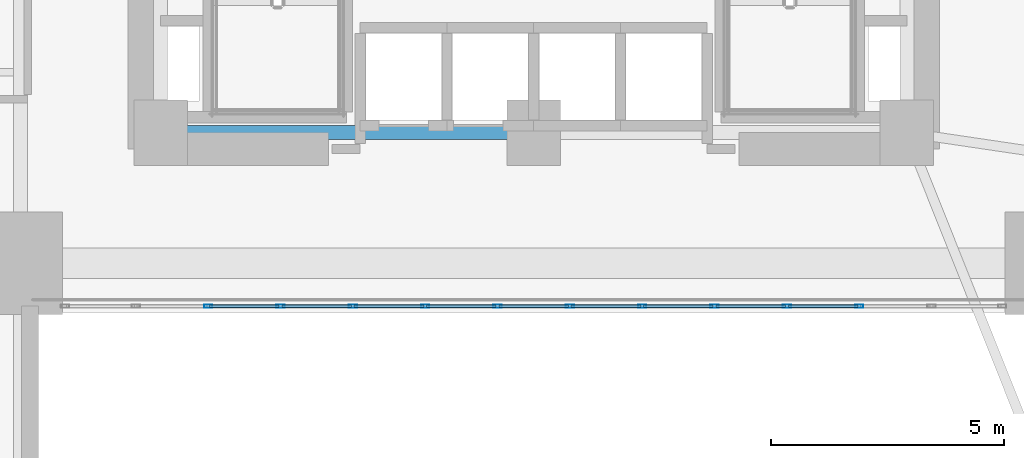
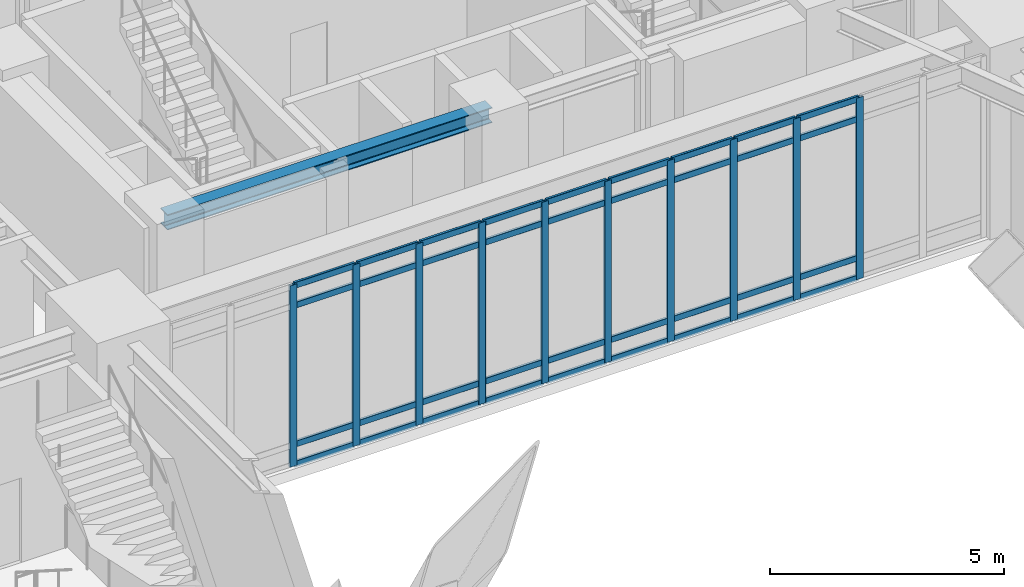
# One storey, part 6 of 26: 46 members, 1 beam, 1 element without a shape of its own.
"""IFC4 building model written with IfcOpenShell, lengths in metres."""

from ifc_helpers import new_model, si_unit, direction, frame, origin, origin_2d, place, context, subcontext, project, spatial, hollow_rectangle, i_section, extrude, material, layer, layer_set, material_profile, profile_set, type_object, element, aggregate, save


model = new_model("IFC4")

# Units and contexts
model_context = context("Model", 3, precision=1e-05, world=origin(), true_north=direction((0.0, 1.0)))
body_context = subcontext(model_context, "Body", "Model", "MODEL_VIEW")
ifc_project = project(units=[si_unit("LENGTHUNIT", "METRE"), si_unit("AREAUNIT", "SQUARE_METRE"), si_unit("VOLUMEUNIT", "CUBIC_METRE"), si_unit("PLANEANGLEUNIT", "RADIAN"), si_unit("MASSUNIT", "GRAM", prefix="KILO")], contexts=[model_context])

# Site, building, storey
site_placement = place(None, origin())
site = spatial("IfcSite", under=ifc_project, at=site_placement, CompositionType="ELEMENT")
building_placement = place(site_placement, origin())
building = spatial("IfcBuilding", under=site, at=building_placement, Name="Ndelora Gate Hotel", CompositionType="ELEMENT")
storey_placement = place(building_placement, frame((0.0, 0.0, 6.0)))
storey = spatial("IfcBuildingStorey", under=building, at=storey_placement, Name="L01", CompositionType="ELEMENT", Elevation=6.0)

# Beam
ifc_material_1 = material(Name="Steel S355", Category="steel")
ifc_material_profile_1 = material_profile(ifc_material_1, i_section(OverallWidth=0.300048828125, OverallDepth=0.39990234375, WebThickness=0.013427734375, FlangeThickness=0.02392578125, FilletRadius=0.027099609375, at=origin_2d()), Name="HEB 400")
ifc_profile_set_1 = profile_set([ifc_material_profile_1], Name="Steel S355")
beam_type = type_object("IfcBeamType", Name="BM-CORE-400", PredefinedType="BEAM", material=ifc_profile_set_1)
beam_placement = place(storey_placement, frame((-8.0, -6.60009765625, 4.52001953125), z_axis=(1.0, 0.0, 0.0), x_axis=(0.0, 1.0, 0.0)))
element("IfcBeam", 1, at=beam_placement, inside=storey, type_object=beam_type, Name="L01 Core Tie Girder CC1-CC2", PredefinedType="BEAM", context=body_context, shape_type="SweptSolid", body=[
    extrude(i_section(OverallWidth=0.300048828125, OverallDepth=0.39990234375, WebThickness=0.013427734375, FlangeThickness=0.02392578125, FilletRadius=0.027099609375, at=origin_2d()), origin(), (0.0, 0.0, 1.0), 8.0),
])

# Curtain wall, members
ifc_material_2 = material(Name="Bronze Anodised Unitised Aluminium and Low-E Glass", Category="aluminium")
ifc_layer = layer(ifc_material_2, 0.239990234375)
ifc_layer_set = layer_set([ifc_layer], Name="Bronze Anodised Unitised Aluminium and Low-E Glass")
curtain_wall_type = type_object("IfcCurtainWallType", Name="CW-SYS-1", PredefinedType="NOTDEFINED", material=ifc_layer_set)
curtain_wall_placement = place(storey_placement, origin())
curtain_wall = element("IfcCurtainWall", 2, at=curtain_wall_placement, inside=storey, type_object=curtain_wall_type, Name="L01 South Portal Arch Concourse Curtain Wall CW1", PredefinedType="NOTDEFINED")
ifc_material_3 = material(Name="Bronze Anodised Aluminium 6063-T6", Category="aluminium")
ifc_material_profile_2 = material_profile(ifc_material_3, hollow_rectangle(XDim=0.070068359375, YDim=0.179931640625, WallThickness=0.0048828125, InnerFilletRadius=0.0048828125, OuterFilletRadius=0.010009765625, at=origin_2d()), Name="ALU 180x70x5")
ifc_profile_set_2 = profile_set([ifc_material_profile_2], Name="Bronze Anodised Aluminium 6063-T6")
member_type_1 = type_object("IfcMemberType", Name="MB-CW-MUL180", PredefinedType="MULLION", material=ifc_profile_set_2)
member_1_placement = place(storey_placement, frame((-6.978515625, -10.320068359375, -0.00390625), z_axis=(0.0, 0.0, 1.0), x_axis=(0.0, 1.0, 0.0)))
member_1 = element("IfcMember", 3, at=member_1_placement, type_object=member_type_1, Name="CW1 mullion 3", PredefinedType="MULLION", context=body_context, shape_type="SweptSolid", body=[
    extrude(hollow_rectangle(XDim=0.070068359375, YDim=0.179931640625, WallThickness=0.0048828125, InnerFilletRadius=0.0048828125, OuterFilletRadius=0.010009765625, at=origin_2d()), origin(), (0.0, 0.0, 1.0), 4.72802734375),
])
member_2_placement = place(storey_placement, frame((-5.427734375, -10.320068359375, -0.00390625), z_axis=(0.0, 0.0, 1.0), x_axis=(0.0, 1.0, 0.0)))
member_2 = element("IfcMember", 4, at=member_2_placement, type_object=member_type_1, Name="CW1 mullion 4", PredefinedType="MULLION", context=body_context, shape_type="SweptSolid", body=[
    extrude(hollow_rectangle(XDim=0.070068359375, YDim=0.179931640625, WallThickness=0.0048828125, InnerFilletRadius=0.0048828125, OuterFilletRadius=0.010009765625, at=origin_2d()), origin(), (0.0, 0.0, 1.0), 4.72802734375),
])
member_3_placement = place(storey_placement, frame((-3.876953125, -10.320068359375, -0.00390625), z_axis=(0.0, 0.0, 1.0), x_axis=(0.0, 1.0, 0.0)))
member_3 = element("IfcMember", 5, at=member_3_placement, type_object=member_type_1, Name="CW1 mullion 5", PredefinedType="MULLION", context=body_context, shape_type="SweptSolid", body=[
    extrude(hollow_rectangle(XDim=0.070068359375, YDim=0.179931640625, WallThickness=0.0048828125, InnerFilletRadius=0.0048828125, OuterFilletRadius=0.010009765625, at=origin_2d()), origin(), (0.0, 0.0, 1.0), 4.72802734375),
])
member_4_placement = place(storey_placement, frame((-2.326171875, -10.320068359375, -0.00390625), z_axis=(0.0, 0.0, 1.0), x_axis=(0.0, 1.0, 0.0)))
member_4 = element("IfcMember", 6, at=member_4_placement, type_object=member_type_1, Name="CW1 mullion 6", PredefinedType="MULLION", context=body_context, shape_type="SweptSolid", body=[
    extrude(hollow_rectangle(XDim=0.070068359375, YDim=0.179931640625, WallThickness=0.0048828125, InnerFilletRadius=0.0048828125, OuterFilletRadius=0.010009765625, at=origin_2d()), origin(), (0.0, 0.0, 1.0), 4.72802734375),
])
member_5_placement = place(storey_placement, frame((-0.775390625, -10.320068359375, -0.00390625), z_axis=(0.0, 0.0, 1.0), x_axis=(0.0, 1.0, 0.0)))
member_5 = element("IfcMember", 7, at=member_5_placement, type_object=member_type_1, Name="CW1 mullion 7", PredefinedType="MULLION", context=body_context, shape_type="SweptSolid", body=[
    extrude(hollow_rectangle(XDim=0.070068359375, YDim=0.179931640625, WallThickness=0.0048828125, InnerFilletRadius=0.0048828125, OuterFilletRadius=0.010009765625, at=origin_2d()), origin(), (0.0, 0.0, 1.0), 4.72802734375),
])
member_6_placement = place(storey_placement, frame((0.775390625, -10.320068359375, -0.00390625), z_axis=(0.0, 0.0, 1.0), x_axis=(0.0, 1.0, 0.0)))
member_6 = element("IfcMember", 8, at=member_6_placement, type_object=member_type_1, Name="CW1 mullion 8", PredefinedType="MULLION", context=body_context, shape_type="SweptSolid", body=[
    extrude(hollow_rectangle(XDim=0.070068359375, YDim=0.179931640625, WallThickness=0.0048828125, InnerFilletRadius=0.0048828125, OuterFilletRadius=0.010009765625, at=origin_2d()), origin(), (0.0, 0.0, 1.0), 4.72802734375),
])
member_7_placement = place(storey_placement, frame((2.326171875, -10.320068359375, -0.00390625), z_axis=(0.0, 0.0, 1.0), x_axis=(0.0, 1.0, 0.0)))
member_7 = element("IfcMember", 9, at=member_7_placement, type_object=member_type_1, Name="CW1 mullion 9", PredefinedType="MULLION", context=body_context, shape_type="SweptSolid", body=[
    extrude(hollow_rectangle(XDim=0.070068359375, YDim=0.179931640625, WallThickness=0.0048828125, InnerFilletRadius=0.0048828125, OuterFilletRadius=0.010009765625, at=origin_2d()), origin(), (0.0, 0.0, 1.0), 4.72802734375),
])
member_8_placement = place(storey_placement, frame((3.876953125, -10.320068359375, -0.00390625), z_axis=(0.0, 0.0, 1.0), x_axis=(0.0, 1.0, 0.0)))
member_8 = element("IfcMember", 10, at=member_8_placement, type_object=member_type_1, Name="CW1 mullion 10", PredefinedType="MULLION", context=body_context, shape_type="SweptSolid", body=[
    extrude(hollow_rectangle(XDim=0.070068359375, YDim=0.179931640625, WallThickness=0.0048828125, InnerFilletRadius=0.0048828125, OuterFilletRadius=0.010009765625, at=origin_2d()), origin(), (0.0, 0.0, 1.0), 4.72802734375),
])
member_9_placement = place(storey_placement, frame((5.427734375, -10.320068359375, -0.00390625), z_axis=(0.0, 0.0, 1.0), x_axis=(0.0, 1.0, 0.0)))
member_9 = element("IfcMember", 11, at=member_9_placement, type_object=member_type_1, Name="CW1 mullion 11", PredefinedType="MULLION", context=body_context, shape_type="SweptSolid", body=[
    extrude(hollow_rectangle(XDim=0.070068359375, YDim=0.179931640625, WallThickness=0.0048828125, InnerFilletRadius=0.0048828125, OuterFilletRadius=0.010009765625, at=origin_2d()), origin(), (0.0, 0.0, 1.0), 4.72802734375),
])
member_10_placement = place(storey_placement, frame((6.978515625, -10.320068359375, -0.00390625), z_axis=(0.0, 0.0, 1.0), x_axis=(0.0, 1.0, 0.0)))
member_10 = element("IfcMember", 12, at=member_10_placement, type_object=member_type_1, Name="CW1 mullion 12", PredefinedType="MULLION", context=body_context, shape_type="SweptSolid", body=[
    extrude(hollow_rectangle(XDim=0.070068359375, YDim=0.179931640625, WallThickness=0.0048828125, InnerFilletRadius=0.0048828125, OuterFilletRadius=0.010009765625, at=origin_2d()), origin(), (0.0, 0.0, 1.0), 4.72802734375),
])
ifc_material_profile_3 = material_profile(ifc_material_3, hollow_rectangle(XDim=0.06494140625, YDim=0.159912109375, WallThickness=0.00390625, InnerFilletRadius=0.00390625, OuterFilletRadius=0.008056640625, at=origin_2d()), Name="ALU 160x65x4")
ifc_profile_set_3 = profile_set([ifc_material_profile_3], Name="Bronze Anodised Aluminium 6063-T6")
member_type_2 = type_object("IfcMemberType", Name="MB-CW-TRN150", PredefinedType="USERDEFINED", material=ifc_profile_set_3)
member_11_placement = place(storey_placement, frame((-6.949462890625, -10.320068359375, 0.032470703125), z_axis=(1.0, 0.0, 0.0), x_axis=(0.0, 1.0, 0.0)))
member_11 = element("IfcMember", 13, at=member_11_placement, type_object=member_type_2, Name="CW1 transom 3.1", ObjectType="TRANSOM", PredefinedType="USERDEFINED", context=body_context, shape_type="SweptSolid", body=[
    extrude(hollow_rectangle(XDim=0.06494140625, YDim=0.159912109375, WallThickness=0.00390625, InnerFilletRadius=0.00390625, OuterFilletRadius=0.008056640625, at=origin_2d()), origin(), (0.0, 0.0, 1.0), 1.49267578125),
])
member_12_placement = place(storey_placement, frame((-6.949462890625, -10.320068359375, 0.550048828125), z_axis=(1.0, 0.0, 0.0), x_axis=(0.0, 1.0, 0.0)))
member_12 = element("IfcMember", 14, at=member_12_placement, type_object=member_type_2, Name="CW1 transom 3.2", ObjectType="TRANSOM", PredefinedType="USERDEFINED", context=body_context, shape_type="SweptSolid", body=[
    extrude(hollow_rectangle(XDim=0.06494140625, YDim=0.159912109375, WallThickness=0.00390625, InnerFilletRadius=0.00390625, OuterFilletRadius=0.008056640625, at=origin_2d()), origin(), (0.0, 0.0, 1.0), 1.49267578125),
])
member_13_placement = place(storey_placement, frame((-6.949462890625, -10.320068359375, 4.169921875), z_axis=(1.0, 0.0, 0.0), x_axis=(0.0, 1.0, 0.0)))
member_13 = element("IfcMember", 15, at=member_13_placement, type_object=member_type_2, Name="CW1 transom 3.3", ObjectType="TRANSOM", PredefinedType="USERDEFINED", context=body_context, shape_type="SweptSolid", body=[
    extrude(hollow_rectangle(XDim=0.06494140625, YDim=0.159912109375, WallThickness=0.00390625, InnerFilletRadius=0.00390625, OuterFilletRadius=0.008056640625, at=origin_2d()), origin(), (0.0, 0.0, 1.0), 1.49267578125),
])
member_14_placement = place(storey_placement, frame((-6.949462890625, -10.320068359375, 4.6875), z_axis=(1.0, 0.0, 0.0), x_axis=(0.0, 1.0, 0.0)))
member_14 = element("IfcMember", 16, at=member_14_placement, type_object=member_type_2, Name="CW1 transom 3.4", ObjectType="TRANSOM", PredefinedType="USERDEFINED", context=body_context, shape_type="SweptSolid", body=[
    extrude(hollow_rectangle(XDim=0.06494140625, YDim=0.159912109375, WallThickness=0.00390625, InnerFilletRadius=0.00390625, OuterFilletRadius=0.008056640625, at=origin_2d()), origin(), (0.0, 0.0, 1.0), 1.49267578125),
])
member_15_placement = place(storey_placement, frame((-5.398681640625, -10.320068359375, 0.032470703125), z_axis=(1.0, 0.0, 0.0), x_axis=(0.0, 1.0, 0.0)))
member_15 = element("IfcMember", 17, at=member_15_placement, type_object=member_type_2, Name="CW1 transom 4.1", ObjectType="TRANSOM", PredefinedType="USERDEFINED", context=body_context, shape_type="SweptSolid", body=[
    extrude(hollow_rectangle(XDim=0.06494140625, YDim=0.159912109375, WallThickness=0.00390625, InnerFilletRadius=0.00390625, OuterFilletRadius=0.008056640625, at=origin_2d()), origin(), (0.0, 0.0, 1.0), 1.49267578125),
])
member_16_placement = place(storey_placement, frame((-5.398681640625, -10.320068359375, 0.550048828125), z_axis=(1.0, 0.0, 0.0), x_axis=(0.0, 1.0, 0.0)))
member_16 = element("IfcMember", 18, at=member_16_placement, type_object=member_type_2, Name="CW1 transom 4.2", ObjectType="TRANSOM", PredefinedType="USERDEFINED", context=body_context, shape_type="SweptSolid", body=[
    extrude(hollow_rectangle(XDim=0.06494140625, YDim=0.159912109375, WallThickness=0.00390625, InnerFilletRadius=0.00390625, OuterFilletRadius=0.008056640625, at=origin_2d()), origin(), (0.0, 0.0, 1.0), 1.49267578125),
])
member_17_placement = place(storey_placement, frame((-5.398681640625, -10.320068359375, 4.169921875), z_axis=(1.0, 0.0, 0.0), x_axis=(0.0, 1.0, 0.0)))
member_17 = element("IfcMember", 19, at=member_17_placement, type_object=member_type_2, Name="CW1 transom 4.3", ObjectType="TRANSOM", PredefinedType="USERDEFINED", context=body_context, shape_type="SweptSolid", body=[
    extrude(hollow_rectangle(XDim=0.06494140625, YDim=0.159912109375, WallThickness=0.00390625, InnerFilletRadius=0.00390625, OuterFilletRadius=0.008056640625, at=origin_2d()), origin(), (0.0, 0.0, 1.0), 1.49267578125),
])
member_18_placement = place(storey_placement, frame((-5.398681640625, -10.320068359375, 4.6875), z_axis=(1.0, 0.0, 0.0), x_axis=(0.0, 1.0, 0.0)))
member_18 = element("IfcMember", 20, at=member_18_placement, type_object=member_type_2, Name="CW1 transom 4.4", ObjectType="TRANSOM", PredefinedType="USERDEFINED", context=body_context, shape_type="SweptSolid", body=[
    extrude(hollow_rectangle(XDim=0.06494140625, YDim=0.159912109375, WallThickness=0.00390625, InnerFilletRadius=0.00390625, OuterFilletRadius=0.008056640625, at=origin_2d()), origin(), (0.0, 0.0, 1.0), 1.49267578125),
])
member_19_placement = place(storey_placement, frame((-3.847900390625, -10.320068359375, 0.032470703125), z_axis=(1.0, 0.0, 0.0), x_axis=(0.0, 1.0, 0.0)))
member_19 = element("IfcMember", 21, at=member_19_placement, type_object=member_type_2, Name="CW1 transom 5.1", ObjectType="TRANSOM", PredefinedType="USERDEFINED", context=body_context, shape_type="SweptSolid", body=[
    extrude(hollow_rectangle(XDim=0.06494140625, YDim=0.159912109375, WallThickness=0.00390625, InnerFilletRadius=0.00390625, OuterFilletRadius=0.008056640625, at=origin_2d()), origin(), (0.0, 0.0, 1.0), 1.49267578125),
])
member_20_placement = place(storey_placement, frame((-3.847900390625, -10.320068359375, 0.550048828125), z_axis=(1.0, 0.0, 0.0), x_axis=(0.0, 1.0, 0.0)))
member_20 = element("IfcMember", 22, at=member_20_placement, type_object=member_type_2, Name="CW1 transom 5.2", ObjectType="TRANSOM", PredefinedType="USERDEFINED", context=body_context, shape_type="SweptSolid", body=[
    extrude(hollow_rectangle(XDim=0.06494140625, YDim=0.159912109375, WallThickness=0.00390625, InnerFilletRadius=0.00390625, OuterFilletRadius=0.008056640625, at=origin_2d()), origin(), (0.0, 0.0, 1.0), 1.49267578125),
])
member_21_placement = place(storey_placement, frame((-3.847900390625, -10.320068359375, 4.169921875), z_axis=(1.0, 0.0, 0.0), x_axis=(0.0, 1.0, 0.0)))
member_21 = element("IfcMember", 23, at=member_21_placement, type_object=member_type_2, Name="CW1 transom 5.3", ObjectType="TRANSOM", PredefinedType="USERDEFINED", context=body_context, shape_type="SweptSolid", body=[
    extrude(hollow_rectangle(XDim=0.06494140625, YDim=0.159912109375, WallThickness=0.00390625, InnerFilletRadius=0.00390625, OuterFilletRadius=0.008056640625, at=origin_2d()), origin(), (0.0, 0.0, 1.0), 1.49267578125),
])
member_22_placement = place(storey_placement, frame((-3.847900390625, -10.320068359375, 4.6875), z_axis=(1.0, 0.0, 0.0), x_axis=(0.0, 1.0, 0.0)))
member_22 = element("IfcMember", 24, at=member_22_placement, type_object=member_type_2, Name="CW1 transom 5.4", ObjectType="TRANSOM", PredefinedType="USERDEFINED", context=body_context, shape_type="SweptSolid", body=[
    extrude(hollow_rectangle(XDim=0.06494140625, YDim=0.159912109375, WallThickness=0.00390625, InnerFilletRadius=0.00390625, OuterFilletRadius=0.008056640625, at=origin_2d()), origin(), (0.0, 0.0, 1.0), 1.49267578125),
])
member_23_placement = place(storey_placement, frame((-2.297119140625, -10.320068359375, 0.032470703125), z_axis=(1.0, 0.0, 0.0), x_axis=(0.0, 1.0, 0.0)))
member_23 = element("IfcMember", 25, at=member_23_placement, type_object=member_type_2, Name="CW1 transom 6.1", ObjectType="TRANSOM", PredefinedType="USERDEFINED", context=body_context, shape_type="SweptSolid", body=[
    extrude(hollow_rectangle(XDim=0.06494140625, YDim=0.159912109375, WallThickness=0.00390625, InnerFilletRadius=0.00390625, OuterFilletRadius=0.008056640625, at=origin_2d()), origin(), (0.0, 0.0, 1.0), 1.49267578125),
])
member_24_placement = place(storey_placement, frame((-2.297119140625, -10.320068359375, 0.550048828125), z_axis=(1.0, 0.0, 0.0), x_axis=(0.0, 1.0, 0.0)))
member_24 = element("IfcMember", 26, at=member_24_placement, type_object=member_type_2, Name="CW1 transom 6.2", ObjectType="TRANSOM", PredefinedType="USERDEFINED", context=body_context, shape_type="SweptSolid", body=[
    extrude(hollow_rectangle(XDim=0.06494140625, YDim=0.159912109375, WallThickness=0.00390625, InnerFilletRadius=0.00390625, OuterFilletRadius=0.008056640625, at=origin_2d()), origin(), (0.0, 0.0, 1.0), 1.49267578125),
])
member_25_placement = place(storey_placement, frame((-2.297119140625, -10.320068359375, 4.169921875), z_axis=(1.0, 0.0, 0.0), x_axis=(0.0, 1.0, 0.0)))
member_25 = element("IfcMember", 27, at=member_25_placement, type_object=member_type_2, Name="CW1 transom 6.3", ObjectType="TRANSOM", PredefinedType="USERDEFINED", context=body_context, shape_type="SweptSolid", body=[
    extrude(hollow_rectangle(XDim=0.06494140625, YDim=0.159912109375, WallThickness=0.00390625, InnerFilletRadius=0.00390625, OuterFilletRadius=0.008056640625, at=origin_2d()), origin(), (0.0, 0.0, 1.0), 1.49267578125),
])
member_26_placement = place(storey_placement, frame((-2.297119140625, -10.320068359375, 4.6875), z_axis=(1.0, 0.0, 0.0), x_axis=(0.0, 1.0, 0.0)))
member_26 = element("IfcMember", 28, at=member_26_placement, type_object=member_type_2, Name="CW1 transom 6.4", ObjectType="TRANSOM", PredefinedType="USERDEFINED", context=body_context, shape_type="SweptSolid", body=[
    extrude(hollow_rectangle(XDim=0.06494140625, YDim=0.159912109375, WallThickness=0.00390625, InnerFilletRadius=0.00390625, OuterFilletRadius=0.008056640625, at=origin_2d()), origin(), (0.0, 0.0, 1.0), 1.49267578125),
])
member_27_placement = place(storey_placement, frame((-0.746337890625, -10.320068359375, 0.032470703125), z_axis=(1.0, 0.0, 0.0), x_axis=(0.0, 1.0, 0.0)))
member_27 = element("IfcMember", 29, at=member_27_placement, type_object=member_type_2, Name="CW1 transom 7.1", ObjectType="TRANSOM", PredefinedType="USERDEFINED", context=body_context, shape_type="SweptSolid", body=[
    extrude(hollow_rectangle(XDim=0.06494140625, YDim=0.159912109375, WallThickness=0.00390625, InnerFilletRadius=0.00390625, OuterFilletRadius=0.008056640625, at=origin_2d()), origin(), (0.0, 0.0, 1.0), 1.49267578125),
])
member_28_placement = place(storey_placement, frame((-0.746337890625, -10.320068359375, 0.550048828125), z_axis=(1.0, 0.0, 0.0), x_axis=(0.0, 1.0, 0.0)))
member_28 = element("IfcMember", 30, at=member_28_placement, type_object=member_type_2, Name="CW1 transom 7.2", ObjectType="TRANSOM", PredefinedType="USERDEFINED", context=body_context, shape_type="SweptSolid", body=[
    extrude(hollow_rectangle(XDim=0.06494140625, YDim=0.159912109375, WallThickness=0.00390625, InnerFilletRadius=0.00390625, OuterFilletRadius=0.008056640625, at=origin_2d()), origin(), (0.0, 0.0, 1.0), 1.49267578125),
])
member_29_placement = place(storey_placement, frame((-0.746337890625, -10.320068359375, 4.169921875), z_axis=(1.0, 0.0, 0.0), x_axis=(0.0, 1.0, 0.0)))
member_29 = element("IfcMember", 31, at=member_29_placement, type_object=member_type_2, Name="CW1 transom 7.3", ObjectType="TRANSOM", PredefinedType="USERDEFINED", context=body_context, shape_type="SweptSolid", body=[
    extrude(hollow_rectangle(XDim=0.06494140625, YDim=0.159912109375, WallThickness=0.00390625, InnerFilletRadius=0.00390625, OuterFilletRadius=0.008056640625, at=origin_2d()), origin(), (0.0, 0.0, 1.0), 1.49267578125),
])
member_30_placement = place(storey_placement, frame((-0.746337890625, -10.320068359375, 4.6875), z_axis=(1.0, 0.0, 0.0), x_axis=(0.0, 1.0, 0.0)))
member_30 = element("IfcMember", 32, at=member_30_placement, type_object=member_type_2, Name="CW1 transom 7.4", ObjectType="TRANSOM", PredefinedType="USERDEFINED", context=body_context, shape_type="SweptSolid", body=[
    extrude(hollow_rectangle(XDim=0.06494140625, YDim=0.159912109375, WallThickness=0.00390625, InnerFilletRadius=0.00390625, OuterFilletRadius=0.008056640625, at=origin_2d()), origin(), (0.0, 0.0, 1.0), 1.49267578125),
])
member_31_placement = place(storey_placement, frame((0.804443359375, -10.320068359375, 0.032470703125), z_axis=(1.0, 0.0, 0.0), x_axis=(0.0, 1.0, 0.0)))
member_31 = element("IfcMember", 33, at=member_31_placement, type_object=member_type_2, Name="CW1 transom 8.1", ObjectType="TRANSOM", PredefinedType="USERDEFINED", context=body_context, shape_type="SweptSolid", body=[
    extrude(hollow_rectangle(XDim=0.06494140625, YDim=0.159912109375, WallThickness=0.00390625, InnerFilletRadius=0.00390625, OuterFilletRadius=0.008056640625, at=origin_2d()), origin(), (0.0, 0.0, 1.0), 1.49267578125),
])
member_32_placement = place(storey_placement, frame((0.804443359375, -10.320068359375, 0.550048828125), z_axis=(1.0, 0.0, 0.0), x_axis=(0.0, 1.0, 0.0)))
member_32 = element("IfcMember", 34, at=member_32_placement, type_object=member_type_2, Name="CW1 transom 8.2", ObjectType="TRANSOM", PredefinedType="USERDEFINED", context=body_context, shape_type="SweptSolid", body=[
    extrude(hollow_rectangle(XDim=0.06494140625, YDim=0.159912109375, WallThickness=0.00390625, InnerFilletRadius=0.00390625, OuterFilletRadius=0.008056640625, at=origin_2d()), origin(), (0.0, 0.0, 1.0), 1.49267578125),
])
member_33_placement = place(storey_placement, frame((0.804443359375, -10.320068359375, 4.169921875), z_axis=(1.0, 0.0, 0.0), x_axis=(0.0, 1.0, 0.0)))
member_33 = element("IfcMember", 35, at=member_33_placement, type_object=member_type_2, Name="CW1 transom 8.3", ObjectType="TRANSOM", PredefinedType="USERDEFINED", context=body_context, shape_type="SweptSolid", body=[
    extrude(hollow_rectangle(XDim=0.06494140625, YDim=0.159912109375, WallThickness=0.00390625, InnerFilletRadius=0.00390625, OuterFilletRadius=0.008056640625, at=origin_2d()), origin(), (0.0, 0.0, 1.0), 1.49267578125),
])
member_34_placement = place(storey_placement, frame((0.804443359375, -10.320068359375, 4.6875), z_axis=(1.0, 0.0, 0.0), x_axis=(0.0, 1.0, 0.0)))
member_34 = element("IfcMember", 36, at=member_34_placement, type_object=member_type_2, Name="CW1 transom 8.4", ObjectType="TRANSOM", PredefinedType="USERDEFINED", context=body_context, shape_type="SweptSolid", body=[
    extrude(hollow_rectangle(XDim=0.06494140625, YDim=0.159912109375, WallThickness=0.00390625, InnerFilletRadius=0.00390625, OuterFilletRadius=0.008056640625, at=origin_2d()), origin(), (0.0, 0.0, 1.0), 1.49267578125),
])
member_35_placement = place(storey_placement, frame((2.355224609375, -10.320068359375, 0.032470703125), z_axis=(1.0, 0.0, 0.0), x_axis=(0.0, 1.0, 0.0)))
member_35 = element("IfcMember", 37, at=member_35_placement, type_object=member_type_2, Name="CW1 transom 9.1", ObjectType="TRANSOM", PredefinedType="USERDEFINED", context=body_context, shape_type="SweptSolid", body=[
    extrude(hollow_rectangle(XDim=0.06494140625, YDim=0.159912109375, WallThickness=0.00390625, InnerFilletRadius=0.00390625, OuterFilletRadius=0.008056640625, at=origin_2d()), origin(), (0.0, 0.0, 1.0), 1.49267578125),
])
member_36_placement = place(storey_placement, frame((2.355224609375, -10.320068359375, 0.550048828125), z_axis=(1.0, 0.0, 0.0), x_axis=(0.0, 1.0, 0.0)))
member_36 = element("IfcMember", 38, at=member_36_placement, type_object=member_type_2, Name="CW1 transom 9.2", ObjectType="TRANSOM", PredefinedType="USERDEFINED", context=body_context, shape_type="SweptSolid", body=[
    extrude(hollow_rectangle(XDim=0.06494140625, YDim=0.159912109375, WallThickness=0.00390625, InnerFilletRadius=0.00390625, OuterFilletRadius=0.008056640625, at=origin_2d()), origin(), (0.0, 0.0, 1.0), 1.49267578125),
])
member_37_placement = place(storey_placement, frame((2.355224609375, -10.320068359375, 4.169921875), z_axis=(1.0, 0.0, 0.0), x_axis=(0.0, 1.0, 0.0)))
member_37 = element("IfcMember", 39, at=member_37_placement, type_object=member_type_2, Name="CW1 transom 9.3", ObjectType="TRANSOM", PredefinedType="USERDEFINED", context=body_context, shape_type="SweptSolid", body=[
    extrude(hollow_rectangle(XDim=0.06494140625, YDim=0.159912109375, WallThickness=0.00390625, InnerFilletRadius=0.00390625, OuterFilletRadius=0.008056640625, at=origin_2d()), origin(), (0.0, 0.0, 1.0), 1.49267578125),
])
member_38_placement = place(storey_placement, frame((2.355224609375, -10.320068359375, 4.6875), z_axis=(1.0, 0.0, 0.0), x_axis=(0.0, 1.0, 0.0)))
member_38 = element("IfcMember", 40, at=member_38_placement, type_object=member_type_2, Name="CW1 transom 9.4", ObjectType="TRANSOM", PredefinedType="USERDEFINED", context=body_context, shape_type="SweptSolid", body=[
    extrude(hollow_rectangle(XDim=0.06494140625, YDim=0.159912109375, WallThickness=0.00390625, InnerFilletRadius=0.00390625, OuterFilletRadius=0.008056640625, at=origin_2d()), origin(), (0.0, 0.0, 1.0), 1.49267578125),
])
member_39_placement = place(storey_placement, frame((3.906005859375, -10.320068359375, 0.032470703125), z_axis=(1.0, 0.0, 0.0), x_axis=(0.0, 1.0, 0.0)))
member_39 = element("IfcMember", 41, at=member_39_placement, type_object=member_type_2, Name="CW1 transom 10.1", ObjectType="TRANSOM", PredefinedType="USERDEFINED", context=body_context, shape_type="SweptSolid", body=[
    extrude(hollow_rectangle(XDim=0.06494140625, YDim=0.159912109375, WallThickness=0.00390625, InnerFilletRadius=0.00390625, OuterFilletRadius=0.008056640625, at=origin_2d()), origin(), (0.0, 0.0, 1.0), 1.49267578125),
])
member_40_placement = place(storey_placement, frame((3.906005859375, -10.320068359375, 0.550048828125), z_axis=(1.0, 0.0, 0.0), x_axis=(0.0, 1.0, 0.0)))
member_40 = element("IfcMember", 42, at=member_40_placement, type_object=member_type_2, Name="CW1 transom 10.2", ObjectType="TRANSOM", PredefinedType="USERDEFINED", context=body_context, shape_type="SweptSolid", body=[
    extrude(hollow_rectangle(XDim=0.06494140625, YDim=0.159912109375, WallThickness=0.00390625, InnerFilletRadius=0.00390625, OuterFilletRadius=0.008056640625, at=origin_2d()), origin(), (0.0, 0.0, 1.0), 1.49267578125),
])
member_41_placement = place(storey_placement, frame((3.906005859375, -10.320068359375, 4.169921875), z_axis=(1.0, 0.0, 0.0), x_axis=(0.0, 1.0, 0.0)))
member_41 = element("IfcMember", 43, at=member_41_placement, type_object=member_type_2, Name="CW1 transom 10.3", ObjectType="TRANSOM", PredefinedType="USERDEFINED", context=body_context, shape_type="SweptSolid", body=[
    extrude(hollow_rectangle(XDim=0.06494140625, YDim=0.159912109375, WallThickness=0.00390625, InnerFilletRadius=0.00390625, OuterFilletRadius=0.008056640625, at=origin_2d()), origin(), (0.0, 0.0, 1.0), 1.49267578125),
])
member_42_placement = place(storey_placement, frame((3.906005859375, -10.320068359375, 4.6875), z_axis=(1.0, 0.0, 0.0), x_axis=(0.0, 1.0, 0.0)))
member_42 = element("IfcMember", 44, at=member_42_placement, type_object=member_type_2, Name="CW1 transom 10.4", ObjectType="TRANSOM", PredefinedType="USERDEFINED", context=body_context, shape_type="SweptSolid", body=[
    extrude(hollow_rectangle(XDim=0.06494140625, YDim=0.159912109375, WallThickness=0.00390625, InnerFilletRadius=0.00390625, OuterFilletRadius=0.008056640625, at=origin_2d()), origin(), (0.0, 0.0, 1.0), 1.49267578125),
])
member_43_placement = place(storey_placement, frame((5.456787109375, -10.320068359375, 0.032470703125), z_axis=(1.0, 0.0, 0.0), x_axis=(0.0, 1.0, 0.0)))
member_43 = element("IfcMember", 45, at=member_43_placement, type_object=member_type_2, Name="CW1 transom 11.1", ObjectType="TRANSOM", PredefinedType="USERDEFINED", context=body_context, shape_type="SweptSolid", body=[
    extrude(hollow_rectangle(XDim=0.06494140625, YDim=0.159912109375, WallThickness=0.00390625, InnerFilletRadius=0.00390625, OuterFilletRadius=0.008056640625, at=origin_2d()), origin(), (0.0, 0.0, 1.0), 1.49267578125),
])
member_44_placement = place(storey_placement, frame((5.456787109375, -10.320068359375, 0.550048828125), z_axis=(1.0, 0.0, 0.0), x_axis=(0.0, 1.0, 0.0)))
member_44 = element("IfcMember", 46, at=member_44_placement, type_object=member_type_2, Name="CW1 transom 11.2", ObjectType="TRANSOM", PredefinedType="USERDEFINED", context=body_context, shape_type="SweptSolid", body=[
    extrude(hollow_rectangle(XDim=0.06494140625, YDim=0.159912109375, WallThickness=0.00390625, InnerFilletRadius=0.00390625, OuterFilletRadius=0.008056640625, at=origin_2d()), origin(), (0.0, 0.0, 1.0), 1.49267578125),
])
member_45_placement = place(storey_placement, frame((5.456787109375, -10.320068359375, 4.169921875), z_axis=(1.0, 0.0, 0.0), x_axis=(0.0, 1.0, 0.0)))
member_45 = element("IfcMember", 47, at=member_45_placement, type_object=member_type_2, Name="CW1 transom 11.3", ObjectType="TRANSOM", PredefinedType="USERDEFINED", context=body_context, shape_type="SweptSolid", body=[
    extrude(hollow_rectangle(XDim=0.06494140625, YDim=0.159912109375, WallThickness=0.00390625, InnerFilletRadius=0.00390625, OuterFilletRadius=0.008056640625, at=origin_2d()), origin(), (0.0, 0.0, 1.0), 1.49267578125),
])
member_46_placement = place(storey_placement, frame((5.456787109375, -10.320068359375, 4.6875), z_axis=(1.0, 0.0, 0.0), x_axis=(0.0, 1.0, 0.0)))
member_46 = element("IfcMember", 48, at=member_46_placement, type_object=member_type_2, Name="CW1 transom 11.4", ObjectType="TRANSOM", PredefinedType="USERDEFINED", context=body_context, shape_type="SweptSolid", body=[
    extrude(hollow_rectangle(XDim=0.06494140625, YDim=0.159912109375, WallThickness=0.00390625, InnerFilletRadius=0.00390625, OuterFilletRadius=0.008056640625, at=origin_2d()), origin(), (0.0, 0.0, 1.0), 1.49267578125),
])
aggregate(curtain_wall, [member_1, member_2, member_3, member_4, member_5, member_6, member_7, member_8, member_9, member_10, member_11, member_12, member_13, member_14, member_15, member_16, member_17, member_18, member_19, member_20, member_21, member_22, member_23, member_24, member_25, member_26, member_27, member_28, member_29, member_30, member_31, member_32, member_33, member_34, member_35, member_36, member_37, member_38, member_39, member_40, member_41, member_42, member_43, member_44, member_45, member_46])

save(model, "model.ifc")
